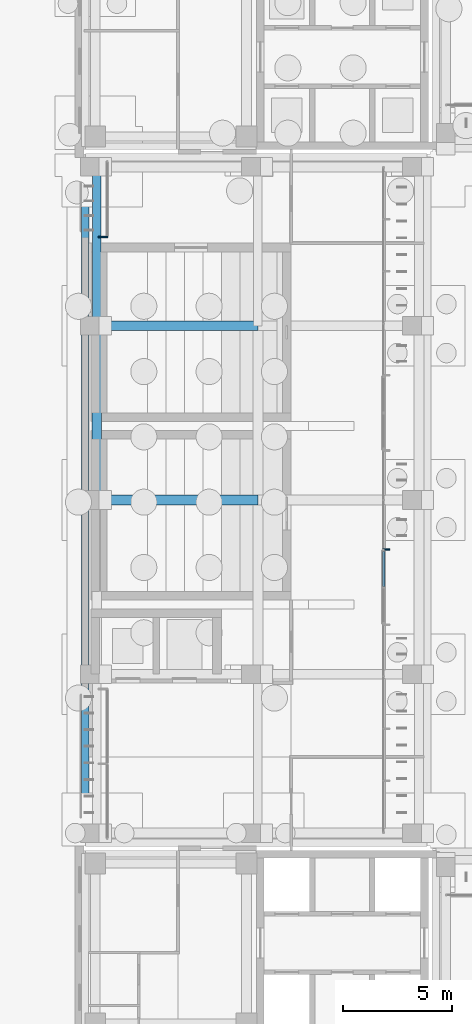
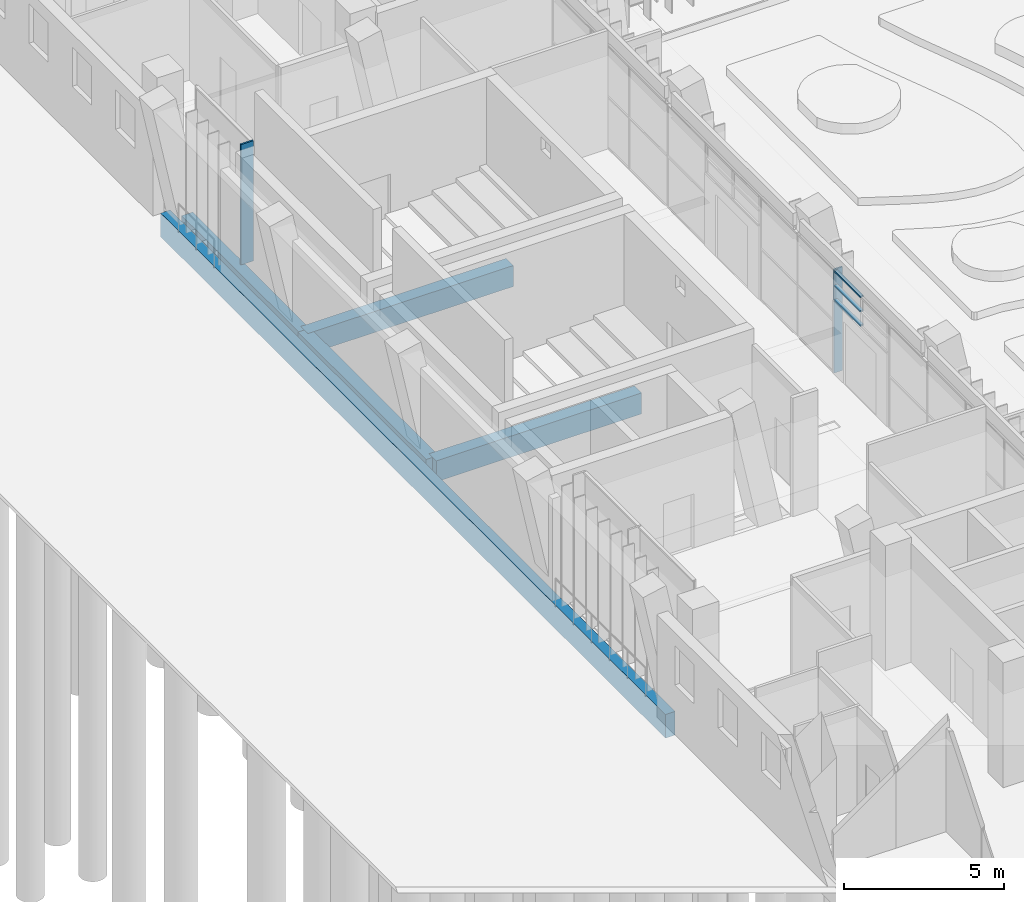
# One storey, part 48 of 144: 5 beams, 5 members, 3 elements without a shape of their own.
"""IFC4 building model written with IfcOpenShell, lengths in metres."""

from ifc_helpers import new_model, si_unit, direction, frame, origin, origin_2d, place, context, subcontext, project, spatial, rectangle, extrude, material, material_profile, profile_set, type_object, element, aggregate, save


model = new_model("IFC4")

# Units and contexts
model_context = context("Model", 3, precision=1e-05, world=origin(), true_north=direction((0.0, 1.0)))
body_context = subcontext(model_context, "Body", "Model", "MODEL_VIEW")
ifc_project = project(units=[si_unit("LENGTHUNIT", "METRE"), si_unit("AREAUNIT", "SQUARE_METRE"), si_unit("VOLUMEUNIT", "CUBIC_METRE"), si_unit("PLANEANGLEUNIT", "RADIAN"), si_unit("MASSUNIT", "GRAM", prefix="KILO")], contexts=[model_context])

# Site, building, storey
site_placement = place(None, origin())
site = spatial("IfcSite", under=ifc_project, at=site_placement, CompositionType="ELEMENT")
building_placement = place(site_placement, origin())
building = spatial("IfcBuilding", under=site, at=building_placement, Name="Lantern Court Media Centre", CompositionType="ELEMENT")
storey_placement = place(building_placement, origin())
storey = spatial("IfcBuildingStorey", under=building, at=storey_placement, Name="L00", CompositionType="ELEMENT", Elevation=0.0)

# Curtain wall, member
ifc_material_1 = material(Name="Curtain wall bay 2400")
curtain_wall_type_1 = type_object("IfcCurtainWallType", Name="Curtain wall bay 2400", PredefinedType="NOTDEFINED", material=ifc_material_1)
curtain_wall_1_placement = place(storey_placement, origin())
curtain_wall_1 = element("IfcCurtainWall", 1, at=curtain_wall_1_placement, inside=storey, type_object=curtain_wall_type_1, Name="Curtain wall W inner L00", PredefinedType="NOTDEFINED")
ifc_material_2 = material(Name="Anodised aluminium", Category="aluminium")
ifc_material_profile_1 = material_profile(ifc_material_2, rectangle(XDim=0.300048828125, YDim=0.050048828125, at=origin_2d()), Name="AL 50x300")
ifc_profile_set_1 = profile_set([ifc_material_profile_1], Name="Anodised aluminium")
member_type_1 = type_object("IfcMemberType", Name="Curtain wall mullion 50x300", PredefinedType="MULLION", material=ifc_profile_set_1)
member_1_placement = place(storey_placement, frame((21.969970703125, 77.72509765625, 0.0), z_axis=(0.0, 0.0, 1.0), x_axis=(-1.0, 0.0, 0.0)))
member_1 = element("IfcMember", 2, at=member_1_placement, type_object=member_type_1, Name="CW2 mullion 1", PredefinedType="MULLION", context=body_context, shape_type="SweptSolid", body=[
    extrude(rectangle(XDim=0.300048828125, YDim=0.050048828125, at=origin_2d()), origin(), (0.0, 0.0, 1.0), 3.949951171875),
])
aggregate(curtain_wall_1, [member_1])

ifc_material_3 = material(Name="Curtain wall bay 3000")
curtain_wall_type_2 = type_object("IfcCurtainWallType", Name="Curtain wall bay 3000", PredefinedType="NOTDEFINED", material=ifc_material_3)
curtain_wall_2_placement = place(storey_placement, origin())
curtain_wall_2 = element("IfcCurtainWall", 3, at=curtain_wall_2_placement, inside=storey, type_object=curtain_wall_type_2, Name="Curtain wall W outer L00", PredefinedType="NOTDEFINED")
ifc_material_profile_2 = material_profile(ifc_material_2, rectangle(XDim=0.449951171875, YDim=0.06005859375, at=origin_2d()), Name="AL 60x450")
ifc_profile_set_2 = profile_set([ifc_material_profile_2], Name="Anodised aluminium")
member_type_2 = type_object("IfcMemberType", Name="Curtain wall mullion 60x450", PredefinedType="MULLION", material=ifc_profile_set_2)
member_2_placement = place(storey_placement, frame((8.955078125, 92.080078125, 0.0), z_axis=(0.0, 0.0, 1.0), x_axis=(-1.0, 0.0, 0.0)))
member_2 = element("IfcMember", 4, at=member_2_placement, type_object=member_type_2, Name="CW1 mullion 1", PredefinedType="MULLION", context=body_context, shape_type="SweptSolid", body=[
    extrude(rectangle(XDim=0.449951171875, YDim=0.06005859375, at=origin_2d()), origin(), (0.0, 0.0, 1.0), 4.580078125),
])
aggregate(curtain_wall_2, [member_2])

# Curtain wall, members
ifc_material_4 = material(Name="Curtain wall bay 1700")
curtain_wall_type_3 = type_object("IfcCurtainWallType", Name="Curtain wall bay 1700", PredefinedType="NOTDEFINED", material=ifc_material_4)
curtain_wall_3_placement = place(storey_placement, origin())
curtain_wall_3 = element("IfcCurtainWall", 5, at=curtain_wall_3_placement, inside=storey, type_object=curtain_wall_type_3, Name="Curtain wall W inner L00", PredefinedType="NOTDEFINED")
ifc_material_profile_3 = material_profile(ifc_material_2, rectangle(XDim=0.1201171875, YDim=0.06005859375, at=origin_2d()), Name="AL 60x120")
ifc_profile_set_3 = profile_set([ifc_material_profile_3], Name="Anodised aluminium")
member_type_3 = type_object("IfcMemberType", Name="Curtain wall transom 60x120", PredefinedType="USERDEFINED", material=ifc_profile_set_3)
member_3_placement = place(storey_placement, frame((21.85009765625, 76.030029296875, 2.830078125), z_axis=(0.0, 1.0, 0.0), x_axis=(-1.0, 0.0, 0.0)))
member_3 = element("IfcMember", 6, at=member_3_placement, type_object=member_type_3, Name="CW4 transom 2.1", ObjectType="TRANSOM", PredefinedType="USERDEFINED", context=body_context, shape_type="SweptSolid", body=[
    extrude(rectangle(XDim=0.1201171875, YDim=0.06005859375, at=origin_2d()), origin(), (0.0, 0.0, 1.0), 1.60986328125),
])
member_4_placement = place(storey_placement, frame((21.85009765625, 76.030029296875, 3.375), z_axis=(0.0, 1.0, 0.0), x_axis=(-1.0, 0.0, 0.0)))
member_4 = element("IfcMember", 7, at=member_4_placement, type_object=member_type_3, Name="CW4 transom 2.2", ObjectType="TRANSOM", PredefinedType="USERDEFINED", context=body_context, shape_type="SweptSolid", body=[
    extrude(rectangle(XDim=0.1201171875, YDim=0.06005859375, at=origin_2d()), origin(), (0.0, 0.0, 1.0), 1.60986328125),
])
member_5_placement = place(storey_placement, frame((21.85009765625, 76.030029296875, 3.919921875), z_axis=(0.0, 1.0, 0.0), x_axis=(-1.0, 0.0, 0.0)))
member_5 = element("IfcMember", 8, at=member_5_placement, type_object=member_type_3, Name="CW4 transom 2.3", ObjectType="TRANSOM", PredefinedType="USERDEFINED", context=body_context, shape_type="SweptSolid", body=[
    extrude(rectangle(XDim=0.1201171875, YDim=0.06005859375, at=origin_2d()), origin(), (0.0, 0.0, 1.0), 1.60986328125),
])
aggregate(curtain_wall_3, [member_3, member_4, member_5])

# Beams
ifc_material_5 = material(Name="Concrete C35", Category="concrete")
ifc_material_profile_4 = material_profile(ifc_material_5, rectangle(XDim=0.35009765625, YDim=0.89990234375, at=origin_2d()), Name="RC 350x900")
ifc_profile_set_4 = profile_set([ifc_material_profile_4], Name="Concrete C35")
beam_type_1 = type_object("IfcBeamType", Name="RC BEAM 350x900", PredefinedType="BEAM", material=ifc_profile_set_4)
beam_1_placement = place(storey_placement, frame((8.14990234375, 64.25, -0.449951171875), z_axis=(0.0, 1.0, 0.0), x_axis=(-1.0, 0.0, 0.0)))
element("IfcBeam", 9, at=beam_1_placement, inside=storey, type_object=beam_type_1, Name="EB-W-L00-A", PredefinedType="BEAM", context=body_context, shape_type="SweptSolid", body=[
    extrude(rectangle(XDim=0.35009765625, YDim=0.89990234375, at=origin_2d()), origin(), (0.0, 0.0, 1.0), 31.5),
])
ifc_material_profile_5 = material_profile(ifc_material_5, rectangle(XDim=0.39990234375, YDim=0.699951171875, at=origin_2d()), Name="RC 400x700")
ifc_profile_set_5 = profile_set([ifc_material_profile_5], Name="Concrete C35")
beam_type_2 = type_object("IfcBeamType", Name="RC BEAM 400x700", PredefinedType="BEAM", material=ifc_profile_set_5)
beam_2_placement = place(storey_placement, frame((8.6728515625, 88.0, -0.35009765625), z_axis=(0.0, 1.0, 0.0), x_axis=(-1.0, 0.0, 0.0)))
element("IfcBeam", 10, at=beam_2_placement, inside=storey, type_object=beam_type_2, Name="LB-W-L00-0-3", PredefinedType="BEAM", context=body_context, shape_type="SweptSolid", body=[
    extrude(rectangle(XDim=0.39990234375, YDim=0.699951171875, at=origin_2d()), origin(), (0.0, 0.0, 1.0), 7.300048828125),
])
ifc_material_profile_6 = material_profile(ifc_material_5, rectangle(XDim=0.449951171875, YDim=0.699951171875, at=origin_2d()), Name="RC 450x700")
ifc_profile_set_6 = profile_set([ifc_material_profile_6], Name="Concrete C35")
beam_type_3 = type_object("IfcBeamType", Name="RC BEAM 450x700", PredefinedType="BEAM", material=ifc_profile_set_6)
beam_3_placement = place(storey_placement, frame((8.6728515625, 80.0, -0.35009765625), z_axis=(0.0, 1.0, 0.0), x_axis=(-1.0, 0.0, 0.0)))
element("IfcBeam", 11, at=beam_3_placement, inside=storey, type_object=beam_type_3, Name="LB-W-L00-0-2", PredefinedType="BEAM", context=body_context, shape_type="SweptSolid", body=[
    extrude(rectangle(XDim=0.449951171875, YDim=0.699951171875, at=origin_2d()), origin(), (0.0, 0.0, 1.0), 8.0),
])
ifc_material_profile_7 = material_profile(ifc_material_5, rectangle(XDim=0.449951171875, YDim=0.800048828125, at=origin_2d()), Name="RC 450x800")
ifc_profile_set_7 = profile_set([ifc_material_profile_7], Name="Concrete C35")
beam_type_4 = type_object("IfcBeamType", Name="RC BEAM 450x800", PredefinedType="BEAM", material=ifc_profile_set_7)
for number, where, z_axis, x_axis, name in (
    (12, (8.683349609375, 80.0, -0.39990234375), (1.0, 0.0, 0.0), (0.0, 1.0, 0.0), "TB-W-L00-2-1"),
    (13, (8.683349609375, 88.0, -0.39990234375), (1.0, 0.0, 0.0), (0.0, 1.0, 0.0), "TB-W-L00-3-1"),
):
    element("IfcBeam", number, at=place(storey_placement, frame(where, z_axis=z_axis, x_axis=x_axis)), inside=storey, type_object=beam_type_4, Name=name, PredefinedType="BEAM", context=body_context, shape_type="SweptSolid", body=[
        extrude(rectangle(XDim=0.449951171875, YDim=0.800048828125, at=origin_2d()), origin(), (0.0, 0.0, 1.0), 7.39990234375),
    ])

save(model, "model.ifc")
